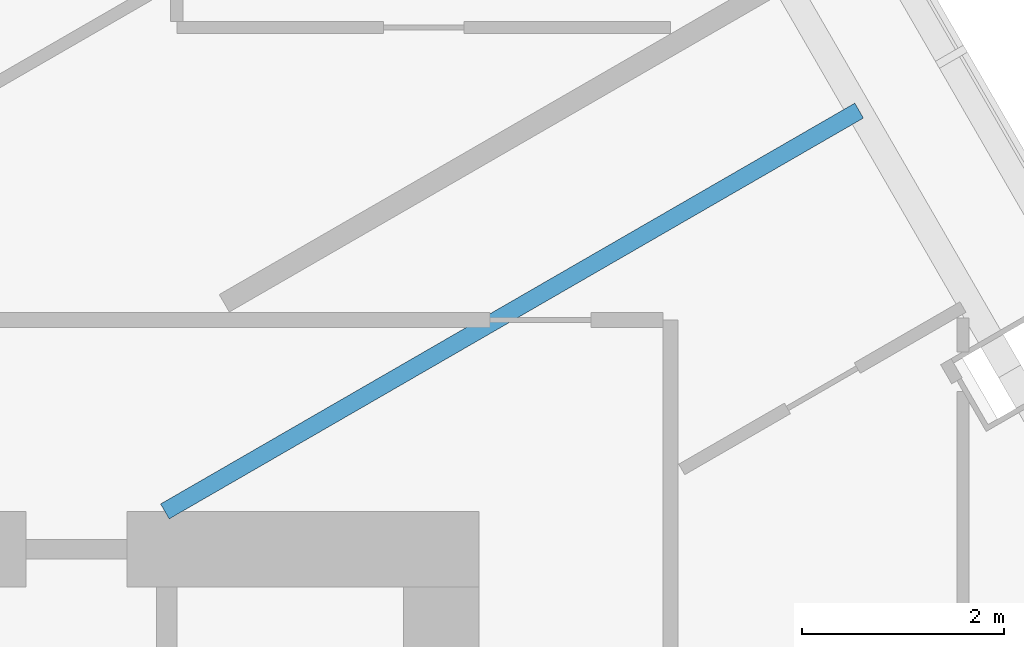
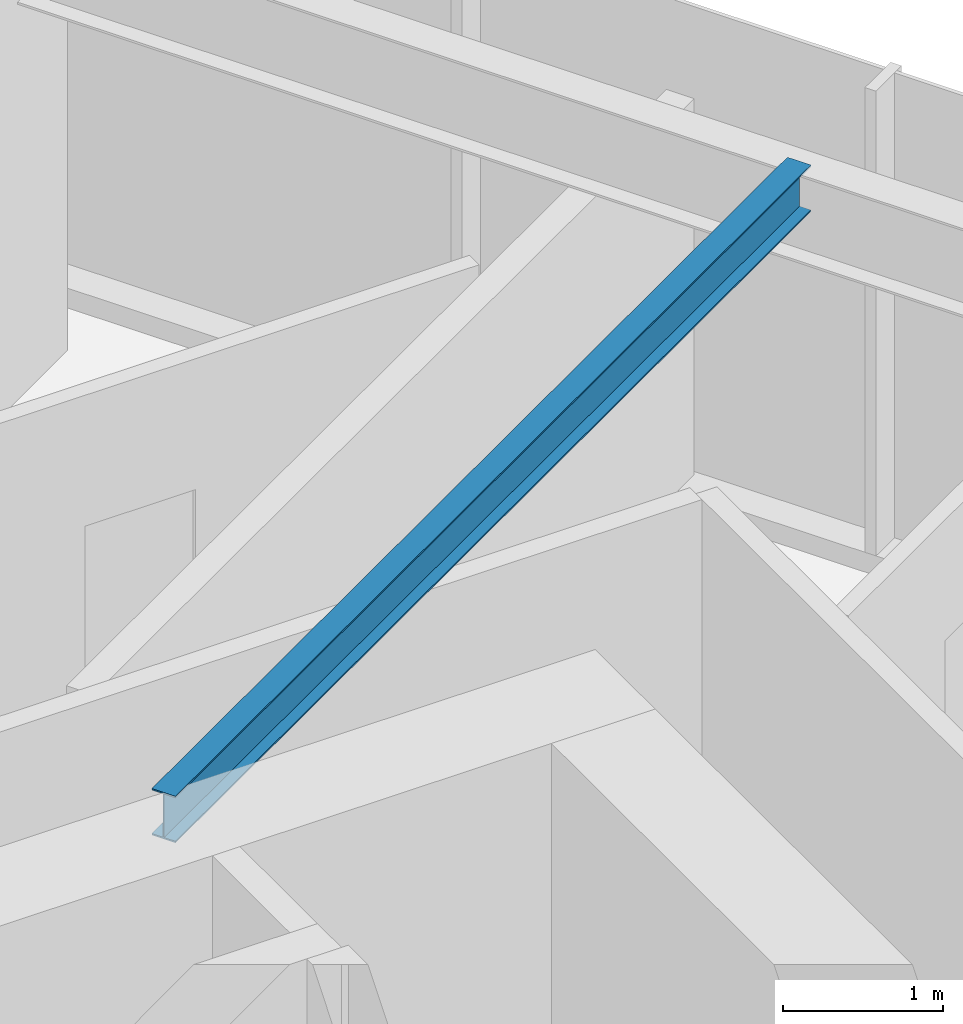
# One storey, part 9 of 21: 1 beam.
"""IFC4 building model written with IfcOpenShell, lengths in metres."""

from ifc_helpers import new_model, si_unit, direction, frame, origin, origin_2d, place, context, subcontext, project, spatial, i_section, extrude, material, material_profile, profile_set, type_object, element, save


model = new_model("IFC4")

# Units and contexts
model_context = context("Model", 3, precision=1e-05, world=origin(), true_north=direction((0.0, 1.0)))
body_context = subcontext(model_context, "Body", "Model", "MODEL_VIEW")
ifc_project = project(units=[si_unit("LENGTHUNIT", "METRE"), si_unit("AREAUNIT", "SQUARE_METRE"), si_unit("VOLUMEUNIT", "CUBIC_METRE"), si_unit("PLANEANGLEUNIT", "RADIAN"), si_unit("MASSUNIT", "GRAM", prefix="KILO")], contexts=[model_context])

# Site, building, storey
site_placement = place(None, origin())
site = spatial("IfcSite", under=ifc_project, at=site_placement, CompositionType="ELEMENT")
building_placement = place(site_placement, origin())
building = spatial("IfcBuilding", under=site, at=building_placement, Name="Firuza Gate Tower and Library", CompositionType="ELEMENT")
storey_placement = place(building_placement, frame((0.0, 0.0, 167.5)))
storey = spatial("IfcBuildingStorey", under=building, at=storey_placement, Name="L38", CompositionType="ELEMENT", Elevation=167.5)

# Beam
ifc_material = material(Name="Steel S355", Category="steel")
ifc_material_profile = material_profile(ifc_material, i_section(OverallWidth=0.1708984375, OverallDepth=0.35498046875, WebThickness=0.007080078125, FlangeThickness=0.01171875, at=origin_2d()))
ifc_profile_set = profile_set([ifc_material_profile], Name="Steel S355")
beam_type = type_object("IfcBeamType", Name="W360x51 Floor beam", PredefinedType="JOIST", material=ifc_profile_set)
beam_placement = place(storey_placement, frame((89.769775390625, 86.976806640625, 3.5224609375), z_axis=(-0.866022521394, -0.500004992414, 0.0), x_axis=(0.500004992414, -0.866022521394, 0.0)))
element("IfcBeam", 1, at=beam_placement, inside=storey, type_object=beam_type, Name="Floor beam L38 s53", PredefinedType="JOIST", context=body_context, shape_type="SweptSolid", body=[
    extrude(i_section(OverallWidth=0.1708984375, OverallDepth=0.35498046875, WebThickness=0.007080078125, FlangeThickness=0.01171875, at=origin_2d()), origin(), (0.0, 0.0, 1.0), 7.95361328125),
])

save(model, "model.ifc")
